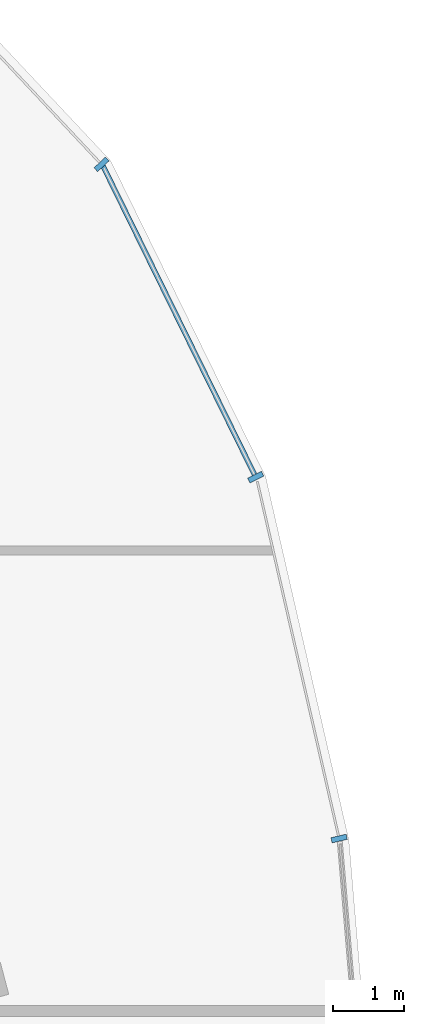
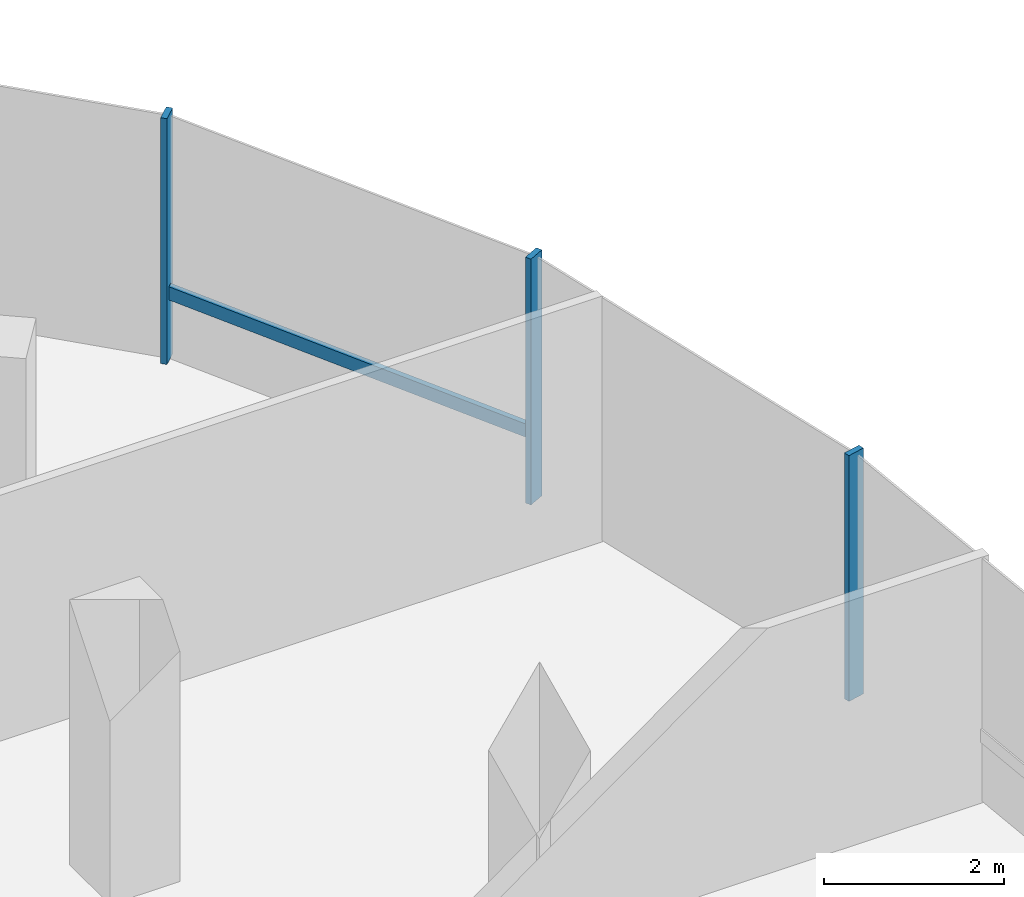
# One storey, part 11 of 25: 4 members, 1 element without a shape of its own.
"""IFC4 building model written with IfcOpenShell, lengths in metres."""

from ifc_helpers import new_model, si_unit, direction, frame, origin, origin_2d, place, context, subcontext, project, spatial, rectangle, extrude, material, material_profile, profile_set, type_object, element, aggregate, save


model = new_model("IFC4")

# Units and contexts
model_context = context("Model", 3, precision=1e-05, world=origin(), true_north=direction((0.0, 1.0)))
body_context = subcontext(model_context, "Body", "Model", "MODEL_VIEW")
ifc_project = project(units=[si_unit("LENGTHUNIT", "METRE"), si_unit("AREAUNIT", "SQUARE_METRE"), si_unit("VOLUMEUNIT", "CUBIC_METRE"), si_unit("PLANEANGLEUNIT", "RADIAN"), si_unit("MASSUNIT", "GRAM", prefix="KILO"), si_unit("THERMODYNAMICTEMPERATUREUNIT", "KELVIN"), si_unit("POWERUNIT", "WATT")], contexts=[model_context])

# Site, building, storey
site_placement = place(None, origin())
site = spatial("IfcSite", under=ifc_project, at=site_placement, CompositionType="ELEMENT")
building_placement = place(site_placement, origin())
building = spatial("IfcBuilding", under=site, at=building_placement, Name="Cundina Bronze Exchange", CompositionType="ELEMENT")
storey_placement = place(building_placement, frame((0.0, 0.0, 250.39990234375)))
storey = spatial("IfcBuildingStorey", under=building, at=storey_placement, Name="L66", CompositionType="ELEMENT", Elevation=250.39990234375)

# Curtain wall, members
ifc_material = material(Name="Anodised Bronze Aluminium 6063-T6", Category="aluminium")
curtain_wall_type = type_object("IfcCurtainWallType", Name="CWS-SKG-BRG", PredefinedType="NOTDEFINED", material=ifc_material)
curtain_wall_placement = place(storey_placement, origin())
curtain_wall = element("IfcCurtainWall", 1, at=curtain_wall_placement, inside=storey, type_object=curtain_wall_type, Name="L66 CW-06 Curtain Wall Run CWR-L66-E1", PredefinedType="NOTDEFINED")
ifc_material_profile_1 = material_profile(ifc_material, rectangle(XDim=0.074951171875, YDim=0.219970703125, at=origin_2d()), Name="AL75X220", Category="aluminium")
ifc_profile_set_1 = profile_set([ifc_material_profile_1], Name="Anodised Bronze Aluminium 6063-T6")
member_type_1 = type_object("IfcMemberType", Name="CWM-MUL-220", PredefinedType="MULLION", material=ifc_profile_set_1)
member_1_placement = place(storey_placement, frame((50.544677734375, 8.4111328125, 0.0), z_axis=(0.0, 0.0, 1.0), x_axis=(-0.223250116011, 0.974761194191, 0.0)))
member_1 = element("IfcMember", 2, at=member_1_placement, type_object=member_type_1, Name="CW-06 Mullion 2", PredefinedType="MULLION", context=body_context, shape_type="SweptSolid", body=[
    extrude(rectangle(XDim=0.074951171875, YDim=0.219970703125, at=origin_2d()), origin(), (0.0, 0.0, 1.0), 3.340087890625),
])
member_2_placement = place(storey_placement, frame((49.369140625, 13.50390625, 0.0), z_axis=(0.0, 0.0, 1.0), x_axis=(-0.440566004113, 0.897720221461, 0.0)))
member_2 = element("IfcMember", 3, at=member_2_placement, type_object=member_type_1, Name="CW-06 Mullion 3", PredefinedType="MULLION", context=body_context, shape_type="SweptSolid", body=[
    extrude(rectangle(XDim=0.074951171875, YDim=0.219970703125, at=origin_2d()), origin(), (0.0, 0.0, 1.0), 3.340087890625),
])
member_3_placement = place(storey_placement, frame((47.1962890625, 17.910400390625, 0.0), z_axis=(0.0, 0.0, 1.0), x_axis=(-0.684292606175, 0.729207535023, 0.0)))
member_3 = element("IfcMember", 4, at=member_3_placement, type_object=member_type_1, Name="CW-06 Mullion 4", PredefinedType="MULLION", context=body_context, shape_type="SweptSolid", body=[
    extrude(rectangle(XDim=0.074951171875, YDim=0.219970703125, at=origin_2d()), origin(), (0.0, 0.0, 1.0), 3.340087890625),
])
ifc_material_profile_2 = material_profile(ifc_material, rectangle(XDim=0.070068359375, YDim=0.179931640625, at=origin_2d()), Name="AL70X180", Category="aluminium")
ifc_profile_set_2 = profile_set([ifc_material_profile_2], Name="Anodised Bronze Aluminium 6063-T6")
member_type_2 = type_object("IfcMemberType", Name="CWM-TRN-180", PredefinedType="USERDEFINED", material=ifc_profile_set_2)
member_4_placement = place(storey_placement, frame((49.35107421875, 13.541015625, 0.920166015625), z_axis=(-0.440554408939, 0.897725911826, 0.0), x_axis=(-0.897725911826, -0.440554408939, 0.0)))
member_4 = element("IfcMember", 5, at=member_4_placement, type_object=member_type_2, Name="CW-06 Spandrel Transom 3", ObjectType="TRANSOM", PredefinedType="USERDEFINED", context=body_context, shape_type="SweptSolid", body=[
    extrude(rectangle(XDim=0.070068359375, YDim=0.179931640625, at=origin_2d()), origin(), (0.0, 0.0, 1.0), 4.848388671875),
])
aggregate(curtain_wall, [member_1, member_2, member_4, member_3])

save(model, "model.ifc")
